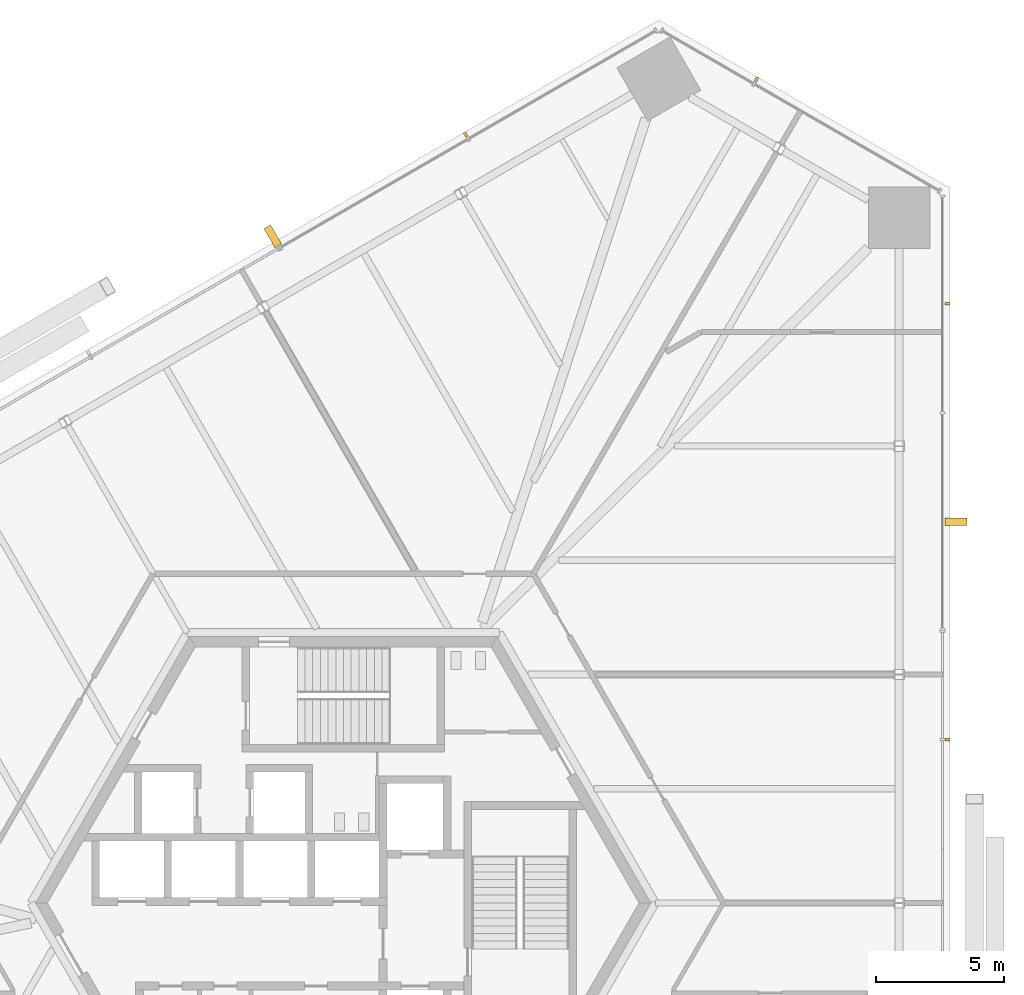
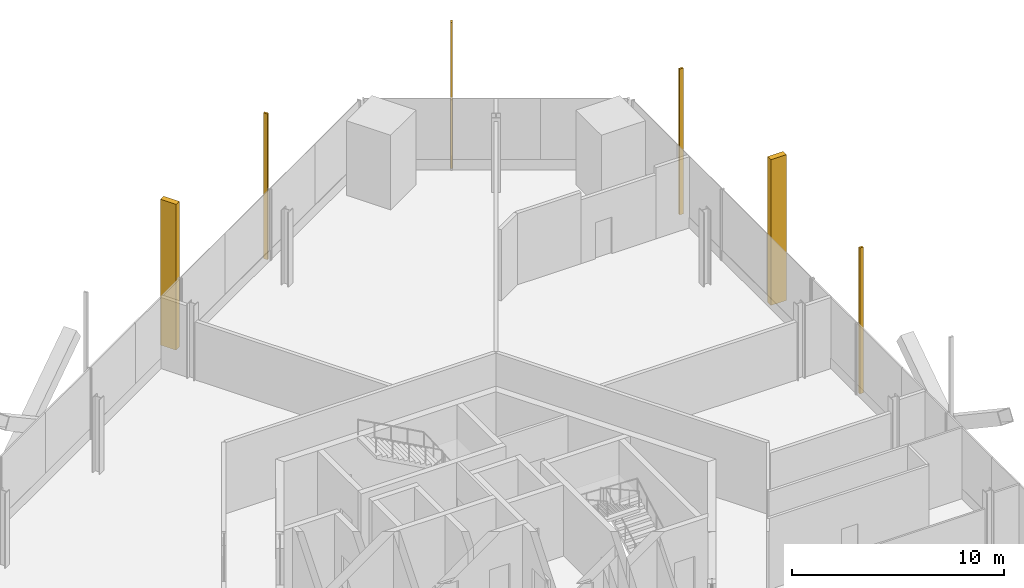
# One storey, part 17 of 18: 6 shading devices.
"""IFC4 building model written with IfcOpenShell, lengths in metres."""

from ifc_helpers import new_model, si_unit, direction, frame, origin, origin_2d, place, context, subcontext, project, spatial, rectangle, extrude, source, transform, mapped, material, element, save


model = new_model("IFC4")

# Units and contexts
model_context = context("Model", 3, precision=1e-05, world=origin(), true_north=direction((0.0, 1.0)))
body_context = subcontext(model_context, "Body", "Model", "MODEL_VIEW")
ifc_project = project(units=[si_unit("LENGTHUNIT", "METRE"), si_unit("AREAUNIT", "SQUARE_METRE"), si_unit("VOLUMEUNIT", "CUBIC_METRE"), si_unit("PLANEANGLEUNIT", "RADIAN"), si_unit("MASSUNIT", "GRAM", prefix="KILO")], contexts=[model_context])

# Site, building, storey
site_placement = place(None, origin())
site = spatial("IfcSite", under=ifc_project, at=site_placement, CompositionType="ELEMENT")
building_placement = place(site_placement, origin())
building = spatial("IfcBuilding", under=site, at=building_placement, Name="Triune Harvest Tower", CompositionType="ELEMENT")
storey_placement = place(building_placement, frame((0.0, 0.0, 33.199951171875)))
storey = spatial("IfcBuildingStorey", under=building, at=storey_placement, Name="L07", CompositionType="ELEMENT", Elevation=33.199951171875)

# Shading devices
ifc_material = material(Name="Aluminium bronze anodised", Category="aluminium")
shared_shape_1 = source(origin(), body_context, "Body", "SweptSolid", [
    extrude(rectangle(XDim=0.10009765625, YDim=0.199951171875, at=origin_2d()), origin(), (0.0, 0.0, 1.0), 8.39990234375),
])
for number, where, z_axis, x_axis, name in (
    (1, (23.5712890625, 6.373046875, 0.0), (0.0, 0.0, 1.0), (0.0, 1.0, 0.0), "FN-1 fin B1-F1.9 L07"),
    (2, (23.5712890625, 23.3681640625, 0.0), (0.0, 0.0, 1.0), (0.0, 1.0, 0.0), "FN-1 fin B1-F1.13 L07"),
    (3, (16.12255859375, 32.122802734375, 0.0), (0.0, 0.0, 1.0), (-0.866026145592, 0.499998715149, 0.0), "FN-1 fin B1-F2.3 L07"),
    (4, (4.772216796875, 29.97314453125, 0.0), (0.0, 0.0, 1.0), (-0.866025470037, -0.499999885247, 0.0), "FN-1 fin B1-F3.3 L07"),
):
    element("IfcShadingDevice", number, at=place(storey_placement, frame(where, z_axis=z_axis, x_axis=x_axis)), inside=storey, material=ifc_material, Name=name, ObjectType="FIN", PredefinedType="USERDEFINED", context=body_context, shape_type="MappedRepresentation", body=[
        mapped(shared_shape_1, transform((0.0, 0.0, 0.0), scale=1.0)),
    ])
shared_shape_2 = source(origin(), body_context, "Body", "SweptSolid", [
    extrude(rectangle(XDim=0.300048828125, YDim=0.85009765625, at=origin_2d()), origin(), (0.0, 0.0, 1.0), 8.39990234375),
])
for number, where, z_axis, x_axis, name in (
    (5, (23.896484375, 14.87060546875, 0.0), (0.0, 0.0, 1.0), (0.0, 1.0, 0.0), "FN-2 fin B1-F1.11 L07"),
    (6, (-2.74951171875, 26.005859375, 0.0), (0.0, 0.0, 1.0), (-0.866025470037, -0.499999885247, 0.0), "FN-2 fin B1-F3.5 L07"),
):
    element("IfcShadingDevice", number, at=place(storey_placement, frame(where, z_axis=z_axis, x_axis=x_axis)), inside=storey, material=ifc_material, Name=name, ObjectType="FIN", PredefinedType="USERDEFINED", context=body_context, shape_type="MappedRepresentation", body=[
        mapped(shared_shape_2, transform((0.0, 0.0, 0.0), scale=1.0)),
    ])

save(model, "model.ifc")
